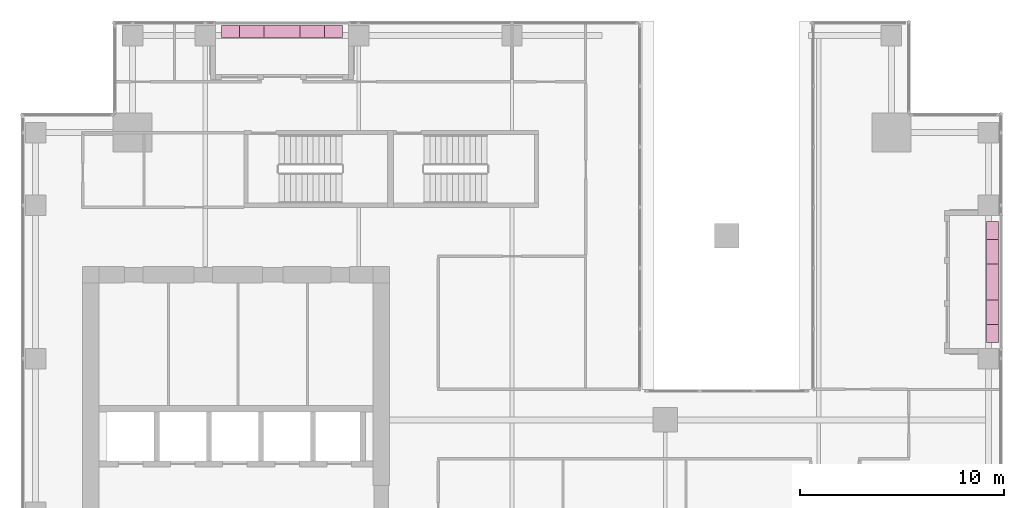
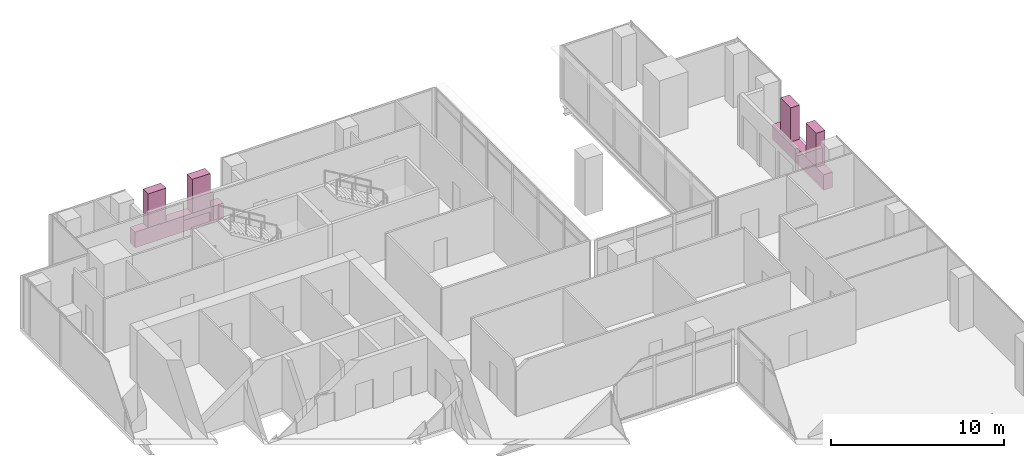
# One storey, part 40 of 40: 6 furnishings.
"""IFC4 building model written with IfcOpenShell, lengths in metres."""

from ifc_helpers import new_model, si_unit, direction, frame, origin, origin_2d, place, context, subcontext, project, spatial, rectangle, extrude, source, transform, mapped, material, type_object, element, save


model = new_model("IFC4")

# Units and contexts
model_context = context("Model", 3, precision=1e-05, world=origin(), true_north=direction((0.0, 1.0)))
body_context = subcontext(model_context, "Body", "Model", "MODEL_VIEW")
ifc_project = project(units=[si_unit("LENGTHUNIT", "METRE"), si_unit("AREAUNIT", "SQUARE_METRE"), si_unit("VOLUMEUNIT", "CUBIC_METRE"), si_unit("PLANEANGLEUNIT", "RADIAN"), si_unit("MASSUNIT", "GRAM", prefix="KILO")], contexts=[model_context])

# Site, building, storey
site_placement = place(None, origin())
site = spatial("IfcSite", under=ifc_project, at=site_placement, CompositionType="ELEMENT")
building_placement = place(site_placement, origin())
building = spatial("IfcBuilding", under=site, at=building_placement, Name="Khomas Fold Tower", CompositionType="ELEMENT")
storey_placement = place(building_placement, frame((0.0, 0.0, 180.699951171875)))
storey = spatial("IfcBuildingStorey", under=building, at=storey_placement, Name="L39", CompositionType="ELEMENT", Elevation=180.699951171875)

# Furnishings
ifc_material_1 = material(Name="Precast concrete C40/50", Category="concrete")
furnishing_element_type_1 = type_object("IfcFurnishingElementType", Name="BL-Structural planter box", material=ifc_material_1)
shared_shape_1 = source(origin(), body_context, "Body", "SweptSolid", [
    extrude(rectangle(XDim=5.89990234375, YDim=0.60009765625, at=origin_2d()), origin(), (0.0, 0.0, 1.0), 1.10009765625),
])
for number, where, z_axis, x_axis, name in (
    (1, (50.5, 38.25, -0.044921875), (0.0, 0.0, 1.0), (0.0, 1.0, 0.0), "PLANTER BAL-L39-E4"),
    (2, (15.75, 50.5, -0.044921875), (0.0, 0.0, 1.0), (1.0, 0.0, 0.0), "PLANTER BAL-L39-N1"),
):
    element("IfcFurnishingElement", number, at=place(storey_placement, frame(where, z_axis=z_axis, x_axis=x_axis)), inside=storey, type_object=furnishing_element_type_1, Name=name, context=body_context, shape_type="MappedRepresentation", body=[
        mapped(shared_shape_1, transform((0.0, 0.0, 0.0))),
    ])
ifc_material_2 = material(Name="Planting")
furnishing_element_type_2 = type_object("IfcFurnishingElementType", Name="BL-Tree Shepherd's tree", material=ifc_material_2)
shared_shape_2 = source(origin(), body_context, "Body", "SweptSolid", [
    extrude(rectangle(XDim=1.199951171875, YDim=0.60009765625, at=origin_2d()), origin(), (0.0, 0.0, 1.0), 2.39501953125),
])
furnishing_1_placement = place(storey_placement, frame((50.5, 36.77490234375, 1.054931640625), z_axis=(0.0, 0.0, 1.0), x_axis=(0.0, 1.0, 0.0)))
element("IfcFurnishingElement", 3, at=furnishing_1_placement, inside=storey, type_object=furnishing_element_type_2, Name="PLANTER (TREE) Shepherd's tree BAL-L39-E4-1", context=body_context, shape_type="MappedRepresentation", body=[
    mapped(shared_shape_2, transform((0.0, 0.0, 0.0))),
])
ifc_material_3 = material(Name="Planting")
furnishing_element_type_3 = type_object("IfcFurnishingElementType", Name="BL-Tree Karee", material=ifc_material_3)
furnishing_2_placement = place(storey_placement, frame((50.5, 39.72509765625, 1.054931640625), z_axis=(0.0, 0.0, 1.0), x_axis=(0.0, 1.0, 0.0)))
element("IfcFurnishingElement", 4, at=furnishing_2_placement, inside=storey, type_object=furnishing_element_type_3, Name="PLANTER (TREE) Karee BAL-L39-E4-2", context=body_context, shape_type="MappedRepresentation", body=[
    mapped(shared_shape_2, transform((0.0, 0.0, 0.0))),
])
furnishing_3_placement = place(storey_placement, frame((14.27490234375, 50.5, 1.054931640625), z_axis=(0.0, 0.0, 1.0), x_axis=(1.0, 0.0, 0.0)))
element("IfcFurnishingElement", 5, at=furnishing_3_placement, inside=storey, type_object=furnishing_element_type_2, Name="PLANTER (TREE) Shepherd's tree BAL-L39-N1-1", context=body_context, shape_type="MappedRepresentation", body=[
    mapped(shared_shape_2, transform((0.0, 0.0, 0.0))),
])
furnishing_4_placement = place(storey_placement, frame((17.22509765625, 50.5, 1.054931640625), z_axis=(0.0, 0.0, 1.0), x_axis=(1.0, 0.0, 0.0)))
element("IfcFurnishingElement", 6, at=furnishing_4_placement, inside=storey, type_object=furnishing_element_type_3, Name="PLANTER (TREE) Karee BAL-L39-N1-2", context=body_context, shape_type="MappedRepresentation", body=[
    mapped(shared_shape_2, transform((0.0, 0.0, 0.0))),
])

save(model, "model.ifc")
